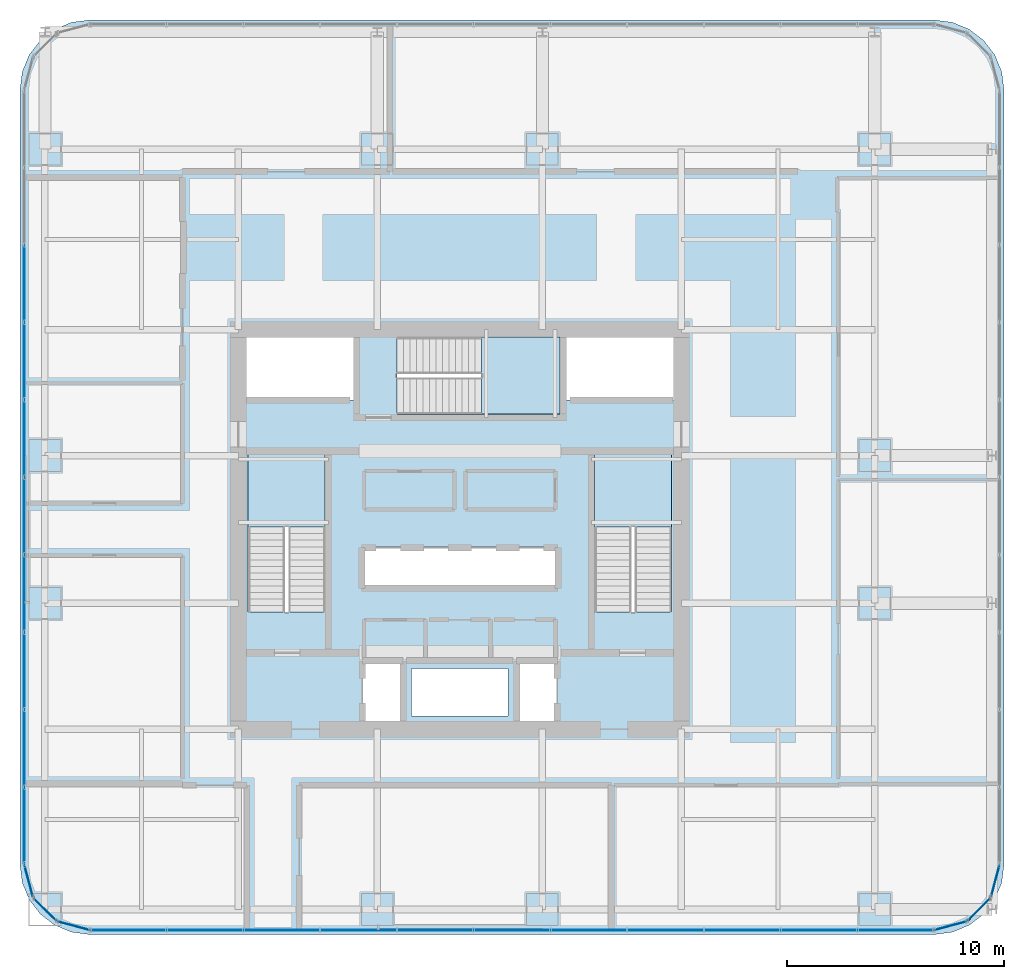
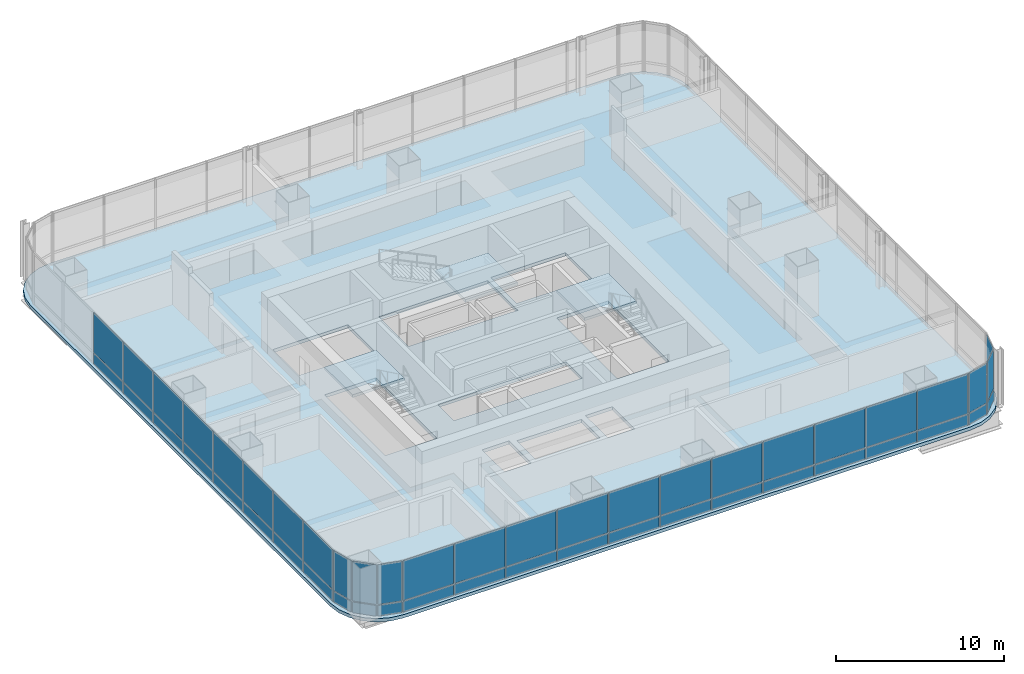
# One storey, part 25 of 34: 50 plates, 4 slabs, 11 elements without a shape of their own.
"""IFC4 building model written with IfcOpenShell, lengths in metres."""

from ifc_helpers import new_model, si_unit, direction, frame, origin, origin_2d, place, context, subcontext, project, spatial, polyline, rectangle, outline, extrude, material, layer, layer_set, type_object, element, aggregate, save


model = new_model("IFC4")

# Units and contexts
model_context = context("Model", 3, precision=1e-05, world=origin(), true_north=direction((0.0, 1.0)))
body_context = subcontext(model_context, "Body", "Model", "MODEL_VIEW")
ifc_project = project(units=[si_unit("LENGTHUNIT", "METRE"), si_unit("AREAUNIT", "SQUARE_METRE"), si_unit("VOLUMEUNIT", "CUBIC_METRE"), si_unit("PLANEANGLEUNIT", "RADIAN"), si_unit("MASSUNIT", "GRAM", prefix="KILO")], contexts=[model_context])

# Site, building, storey
site_placement = place(None, origin())
site = spatial("IfcSite", under=ifc_project, at=site_placement, CompositionType="ELEMENT")
building_placement = place(site_placement, origin())
building = spatial("IfcBuilding", under=site, at=building_placement, Name="Punatoya Terracotta Tower", CompositionType="ELEMENT")
storey_placement = place(building_placement, frame((0.0, 0.0, 105.14990234375)))
storey = spatial("IfcBuildingStorey", under=building, at=storey_placement, Name="L24", CompositionType="ELEMENT", Elevation=105.14990234375)

# Curtain wall, plates
ifc_material_1 = material(Name="Aluminium 6063-T6 + Double Low-E Glass", Category="aluminium")
curtain_wall_type = type_object("IfcCurtainWallType", Name="CW-M1", PredefinedType="NOTDEFINED", material=ifc_material_1)
curtain_wall_1_placement = place(storey_placement, origin())
curtain_wall_1 = element("IfcCurtainWall", 1, at=curtain_wall_1_placement, inside=storey, type_object=curtain_wall_type, Name="L24 Curtain Wall CW-L24-S01-1", PredefinedType="NOTDEFINED")
ifc_material_2 = material(Name="Double Low-E Clear Vision Glass", Category="glass")
ifc_layer_1 = layer(ifc_material_2, 0.028076171875)
ifc_layer_set_1 = layer_set([ifc_layer_1], Name="Double Low-E Clear Vision Glass")
plate_type_1 = type_object("IfcPlateType", Name="PLT-GLZ-28", PredefinedType="CURTAIN_PANEL", material=ifc_layer_set_1)
plate_1_placement = place(storey_placement, frame((-15.27001953125, -18.449951171875, 0.89013671875), z_axis=(0.0, 0.0, 1.0), x_axis=(1.0, 0.0, 0.0)))
plate_1 = element("IfcPlate", 2, at=plate_1_placement, type_object=plate_type_1, Name="CW-L24-S01-1 Vision Glass Panel 1", PredefinedType="CURTAIN_PANEL", context=body_context, shape_type="SweptSolid", body=[
    extrude(rectangle(XDim=3.448974609375, YDim=0.028076171875, at=origin_2d()), origin(), (0.0, 0.0, 1.0), 2.8798828125),
])
plate_2_placement = place(storey_placement, frame((-11.73583984375, -18.449951171875, 0.89013671875), z_axis=(0.0, 0.0, 1.0), x_axis=(1.0, 0.0, 0.0)))
plate_2 = element("IfcPlate", 3, at=plate_2_placement, type_object=plate_type_1, Name="CW-L24-S01-1 Vision Glass Panel 2", PredefinedType="CURTAIN_PANEL", context=body_context, shape_type="SweptSolid", body=[
    extrude(rectangle(XDim=3.448974609375, YDim=0.028076171875, at=origin_2d()), origin(), (0.0, 0.0, 1.0), 2.8798828125),
])
plate_3_placement = place(storey_placement, frame((-8.201904296875, -18.449951171875, 0.89013671875), z_axis=(0.0, 0.0, 1.0), x_axis=(1.0, 0.0, 0.0)))
plate_3 = element("IfcPlate", 4, at=plate_3_placement, type_object=plate_type_1, Name="CW-L24-S01-1 Vision Glass Panel 3", PredefinedType="CURTAIN_PANEL", context=body_context, shape_type="SweptSolid", body=[
    extrude(rectangle(XDim=3.448974609375, YDim=0.028076171875, at=origin_2d()), origin(), (0.0, 0.0, 1.0), 2.8798828125),
])
plate_4_placement = place(storey_placement, frame((-4.66796875, -18.449951171875, 0.89013671875), z_axis=(0.0, 0.0, 1.0), x_axis=(1.0, 0.0, 0.0)))
plate_4 = element("IfcPlate", 5, at=plate_4_placement, type_object=plate_type_1, Name="CW-L24-S01-1 Vision Glass Panel 4", PredefinedType="CURTAIN_PANEL", context=body_context, shape_type="SweptSolid", body=[
    extrude(rectangle(XDim=3.448974609375, YDim=0.028076171875, at=origin_2d()), origin(), (0.0, 0.0, 1.0), 2.8798828125),
])
plate_5_placement = place(storey_placement, frame((-1.134033203125, -18.449951171875, 0.89013671875), z_axis=(0.0, 0.0, 1.0), x_axis=(1.0, 0.0, 0.0)))
plate_5 = element("IfcPlate", 6, at=plate_5_placement, type_object=plate_type_1, Name="CW-L24-S01-1 Vision Glass Panel 5", PredefinedType="CURTAIN_PANEL", context=body_context, shape_type="SweptSolid", body=[
    extrude(rectangle(XDim=3.448974609375, YDim=0.028076171875, at=origin_2d()), origin(), (0.0, 0.0, 1.0), 2.8798828125),
])
plate_6_placement = place(storey_placement, frame((2.39990234375, -18.449951171875, 0.89013671875), z_axis=(0.0, 0.0, 1.0), x_axis=(1.0, 0.0, 0.0)))
plate_6 = element("IfcPlate", 7, at=plate_6_placement, type_object=plate_type_1, Name="CW-L24-S01-1 Vision Glass Panel 6", PredefinedType="CURTAIN_PANEL", context=body_context, shape_type="SweptSolid", body=[
    extrude(rectangle(XDim=3.448974609375, YDim=0.028076171875, at=origin_2d()), origin(), (0.0, 0.0, 1.0), 2.8798828125),
])
plate_7_placement = place(storey_placement, frame((5.93408203125, -18.449951171875, 0.89013671875), z_axis=(0.0, 0.0, 1.0), x_axis=(1.0, 0.0, 0.0)))
plate_7 = element("IfcPlate", 8, at=plate_7_placement, type_object=plate_type_1, Name="CW-L24-S01-1 Vision Glass Panel 7", PredefinedType="CURTAIN_PANEL", context=body_context, shape_type="SweptSolid", body=[
    extrude(rectangle(XDim=3.448974609375, YDim=0.028076171875, at=origin_2d()), origin(), (0.0, 0.0, 1.0), 2.8798828125),
])
plate_8_placement = place(storey_placement, frame((9.468017578125, -18.449951171875, 0.89013671875), z_axis=(0.0, 0.0, 1.0), x_axis=(1.0, 0.0, 0.0)))
plate_8 = element("IfcPlate", 9, at=plate_8_placement, type_object=plate_type_1, Name="CW-L24-S01-1 Vision Glass Panel 8", PredefinedType="CURTAIN_PANEL", context=body_context, shape_type="SweptSolid", body=[
    extrude(rectangle(XDim=3.448974609375, YDim=0.028076171875, at=origin_2d()), origin(), (0.0, 0.0, 1.0), 2.8798828125),
])
plate_9_placement = place(storey_placement, frame((13.001953125, -18.449951171875, 0.89013671875), z_axis=(0.0, 0.0, 1.0), x_axis=(1.0, 0.0, 0.0)))
plate_9 = element("IfcPlate", 10, at=plate_9_placement, type_object=plate_type_1, Name="CW-L24-S01-1 Vision Glass Panel 9", PredefinedType="CURTAIN_PANEL", context=body_context, shape_type="SweptSolid", body=[
    extrude(rectangle(XDim=3.448974609375, YDim=0.028076171875, at=origin_2d()), origin(), (0.0, 0.0, 1.0), 2.8798828125),
])
plate_10_placement = place(storey_placement, frame((16.535888671875, -18.449951171875, 0.89013671875), z_axis=(0.0, 0.0, 1.0), x_axis=(1.0, 0.0, 0.0)))
plate_10 = element("IfcPlate", 11, at=plate_10_placement, type_object=plate_type_1, Name="CW-L24-S01-1 Vision Glass Panel 10", PredefinedType="CURTAIN_PANEL", context=body_context, shape_type="SweptSolid", body=[
    extrude(rectangle(XDim=3.448974609375, YDim=0.028076171875, at=origin_2d()), origin(), (0.0, 0.0, 1.0), 2.8798828125),
])
plate_11_placement = place(storey_placement, frame((20.06982421875, -18.449951171875, 0.89013671875), z_axis=(0.0, 0.0, 1.0), x_axis=(1.0, 0.0, 0.0)))
plate_11 = element("IfcPlate", 12, at=plate_11_placement, type_object=plate_type_1, Name="CW-L24-S01-1 Vision Glass Panel 11", PredefinedType="CURTAIN_PANEL", context=body_context, shape_type="SweptSolid", body=[
    extrude(rectangle(XDim=3.448974609375, YDim=0.028076171875, at=origin_2d()), origin(), (0.0, 0.0, 1.0), 2.8798828125),
])

# Curtain wall, plate
curtain_wall_2_placement = place(storey_placement, origin())
curtain_wall_2 = element("IfcCurtainWall", 13, at=curtain_wall_2_placement, inside=storey, type_object=curtain_wall_type, Name="L24 Curtain Wall CW-L24-CRN02", PredefinedType="NOTDEFINED")
plate_12_placement = place(storey_placement, frame((22.593017578125, -18.248291015625, 0.89013671875), z_axis=(0.0, 0.0, 1.0), x_axis=(0.966213877436, 0.257741620719, 0.0)))
plate_12 = element("IfcPlate", 14, at=plate_12_placement, type_object=plate_type_1, Name="CW-L24-CRN02 Vision Glass Panel 1", PredefinedType="CURTAIN_PANEL", context=body_context, shape_type="SweptSolid", body=[
    extrude(rectangle(XDim=1.47998046875, YDim=0.028076171875, at=origin_2d()), origin(), (0.0, 0.0, 1.0), 2.8798828125),
])

curtain_wall_3_placement = place(storey_placement, origin())
curtain_wall_3 = element("IfcCurtainWall", 15, at=curtain_wall_3_placement, inside=storey, type_object=curtain_wall_type, Name="L24 Curtain Wall CW-L24-CRN03", PredefinedType="NOTDEFINED")
plate_13_placement = place(storey_placement, frame((23.89794921875, -17.497802734375, 0.89013671875), z_axis=(0.0, 0.0, 1.0), x_axis=(0.707106781187, 0.707106781187, 0.0)))
plate_13 = element("IfcPlate", 16, at=plate_13_placement, type_object=plate_type_1, Name="CW-L24-CRN03 Vision Glass Panel 1", PredefinedType="CURTAIN_PANEL", context=body_context, shape_type="SweptSolid", body=[
    extrude(rectangle(XDim=1.467041015625, YDim=0.028076171875, at=origin_2d()), origin(), (0.0, 0.0, 1.0), 2.8798828125),
])

curtain_wall_4_placement = place(storey_placement, origin())
curtain_wall_4 = element("IfcCurtainWall", 17, at=curtain_wall_4_placement, inside=storey, type_object=curtain_wall_type, Name="L24 Curtain Wall CW-L24-CRN04", PredefinedType="NOTDEFINED")
plate_14_placement = place(storey_placement, frame((24.648193359375, -16.193115234375, 0.89013671875), z_axis=(0.0, 0.0, 1.0), x_axis=(0.257741620719, 0.966213877436, 0.0)))
plate_14 = element("IfcPlate", 18, at=plate_14_placement, type_object=plate_type_1, Name="CW-L24-CRN04 Vision Glass Panel 1", PredefinedType="CURTAIN_PANEL", context=body_context, shape_type="SweptSolid", body=[
    extrude(rectangle(XDim=1.47998046875, YDim=0.028076171875, at=origin_2d()), origin(), (0.0, 0.0, 1.0), 2.8798828125),
])

# Curtain wall, plates
curtain_wall_5_placement = place(storey_placement, origin())
curtain_wall_5 = element("IfcCurtainWall", 19, at=curtain_wall_5_placement, inside=storey, type_object=curtain_wall_type, Name="L24 Curtain Wall CW-L24-W13-1", PredefinedType="NOTDEFINED")
plate_15_placement = place(storey_placement, frame((-20.050048828125, 11.318359375, 0.89013671875), z_axis=(0.0, 0.0, 1.0), x_axis=(0.0, -1.0, 0.0)))
plate_15 = element("IfcPlate", 20, at=plate_15_placement, type_object=plate_type_1, Name="CW-L24-W13-1 Vision Glass Panel 3", PredefinedType="CURTAIN_PANEL", context=body_context, shape_type="SweptSolid", body=[
    extrude(rectangle(XDim=3.482421875, YDim=0.028076171875, at=origin_2d()), origin(), (0.0, 0.0, 1.0), 2.8798828125),
])
plate_16_placement = place(storey_placement, frame((-20.050048828125, 7.751220703125, 0.89013671875), z_axis=(0.0, 0.0, 1.0), x_axis=(0.0, -1.0, 0.0)))
plate_16 = element("IfcPlate", 21, at=plate_16_placement, type_object=plate_type_1, Name="CW-L24-W13-1 Vision Glass Panel 4", PredefinedType="CURTAIN_PANEL", context=body_context, shape_type="SweptSolid", body=[
    extrude(rectangle(XDim=3.482421875, YDim=0.028076171875, at=origin_2d()), origin(), (0.0, 0.0, 1.0), 2.8798828125),
])
plate_17_placement = place(storey_placement, frame((-20.050048828125, 4.18359375, 0.89013671875), z_axis=(0.0, 0.0, 1.0), x_axis=(0.0, -1.0, 0.0)))
plate_17 = element("IfcPlate", 22, at=plate_17_placement, type_object=plate_type_1, Name="CW-L24-W13-1 Vision Glass Panel 5", PredefinedType="CURTAIN_PANEL", context=body_context, shape_type="SweptSolid", body=[
    extrude(rectangle(XDim=3.482421875, YDim=0.028076171875, at=origin_2d()), origin(), (0.0, 0.0, 1.0), 2.8798828125),
])
plate_18_placement = place(storey_placement, frame((-20.050048828125, 0.6162109375, 0.89013671875), z_axis=(0.0, 0.0, 1.0), x_axis=(0.0, -1.0, 0.0)))
plate_18 = element("IfcPlate", 23, at=plate_18_placement, type_object=plate_type_1, Name="CW-L24-W13-1 Vision Glass Panel 6", PredefinedType="CURTAIN_PANEL", context=body_context, shape_type="SweptSolid", body=[
    extrude(rectangle(XDim=3.482421875, YDim=0.028076171875, at=origin_2d()), origin(), (0.0, 0.0, 1.0), 2.8798828125),
])
plate_19_placement = place(storey_placement, frame((-20.050048828125, -2.951171875, 0.89013671875), z_axis=(0.0, 0.0, 1.0), x_axis=(0.0, -1.0, 0.0)))
plate_19 = element("IfcPlate", 24, at=plate_19_placement, type_object=plate_type_1, Name="CW-L24-W13-1 Vision Glass Panel 7", PredefinedType="CURTAIN_PANEL", context=body_context, shape_type="SweptSolid", body=[
    extrude(rectangle(XDim=3.482421875, YDim=0.028076171875, at=origin_2d()), origin(), (0.0, 0.0, 1.0), 2.8798828125),
])
plate_20_placement = place(storey_placement, frame((-20.050048828125, -6.518310546875, 0.89013671875), z_axis=(0.0, 0.0, 1.0), x_axis=(0.0, -1.0, 0.0)))
plate_20 = element("IfcPlate", 25, at=plate_20_placement, type_object=plate_type_1, Name="CW-L24-W13-1 Vision Glass Panel 8", PredefinedType="CURTAIN_PANEL", context=body_context, shape_type="SweptSolid", body=[
    extrude(rectangle(XDim=3.482421875, YDim=0.028076171875, at=origin_2d()), origin(), (0.0, 0.0, 1.0), 2.8798828125),
])
plate_21_placement = place(storey_placement, frame((-20.050048828125, -10.085693359375, 0.89013671875), z_axis=(0.0, 0.0, 1.0), x_axis=(0.0, -1.0, 0.0)))
plate_21 = element("IfcPlate", 26, at=plate_21_placement, type_object=plate_type_1, Name="CW-L24-W13-1 Vision Glass Panel 9", PredefinedType="CURTAIN_PANEL", context=body_context, shape_type="SweptSolid", body=[
    extrude(rectangle(XDim=3.482421875, YDim=0.028076171875, at=origin_2d()), origin(), (0.0, 0.0, 1.0), 2.8798828125),
])
plate_22_placement = place(storey_placement, frame((-20.050048828125, -13.6533203125, 0.89013671875), z_axis=(0.0, 0.0, 1.0), x_axis=(0.0, -1.0, 0.0)))
plate_22 = element("IfcPlate", 27, at=plate_22_placement, type_object=plate_type_1, Name="CW-L24-W13-1 Vision Glass Panel 10", PredefinedType="CURTAIN_PANEL", context=body_context, shape_type="SweptSolid", body=[
    extrude(rectangle(XDim=3.482421875, YDim=0.028076171875, at=origin_2d()), origin(), (0.0, 0.0, 1.0), 2.8798828125),
])

# Curtain wall, plate
curtain_wall_6_placement = place(storey_placement, origin())
curtain_wall_6 = element("IfcCurtainWall", 28, at=curtain_wall_6_placement, inside=storey, type_object=curtain_wall_type, Name="L24 Curtain Wall CW-L24-CRN14", PredefinedType="NOTDEFINED")
plate_23_placement = place(storey_placement, frame((-19.848388671875, -16.193115234375, 0.89013671875), z_axis=(0.0, 0.0, 1.0), x_axis=(0.257741620719, -0.966213877436, 0.0)))
plate_23 = element("IfcPlate", 29, at=plate_23_placement, type_object=plate_type_1, Name="CW-L24-CRN14 Vision Glass Panel 1", PredefinedType="CURTAIN_PANEL", context=body_context, shape_type="SweptSolid", body=[
    extrude(rectangle(XDim=1.47998046875, YDim=0.028076171875, at=origin_2d()), origin(), (0.0, 0.0, 1.0), 2.8798828125),
])

curtain_wall_7_placement = place(storey_placement, origin())
curtain_wall_7 = element("IfcCurtainWall", 30, at=curtain_wall_7_placement, inside=storey, type_object=curtain_wall_type, Name="L24 Curtain Wall CW-L24-CRN15", PredefinedType="NOTDEFINED")
plate_24_placement = place(storey_placement, frame((-19.097900390625, -17.497802734375, 0.89013671875), z_axis=(0.0, 0.0, 1.0), x_axis=(0.707106781187, -0.707106781187, 0.0)))
plate_24 = element("IfcPlate", 31, at=plate_24_placement, type_object=plate_type_1, Name="CW-L24-CRN15 Vision Glass Panel 1", PredefinedType="CURTAIN_PANEL", context=body_context, shape_type="SweptSolid", body=[
    extrude(rectangle(XDim=1.467041015625, YDim=0.028076171875, at=origin_2d()), origin(), (0.0, 0.0, 1.0), 2.8798828125),
])

curtain_wall_8_placement = place(storey_placement, origin())
curtain_wall_8 = element("IfcCurtainWall", 32, at=curtain_wall_8_placement, inside=storey, type_object=curtain_wall_type, Name="L24 Curtain Wall CW-L24-CRN16", PredefinedType="NOTDEFINED")
plate_25_placement = place(storey_placement, frame((-17.79296875, -18.248291015625, 0.89013671875), z_axis=(0.0, 0.0, 1.0), x_axis=(0.966213877436, -0.257741620719, 0.0)))
plate_25 = element("IfcPlate", 33, at=plate_25_placement, type_object=plate_type_1, Name="CW-L24-CRN16 Vision Glass Panel 1", PredefinedType="CURTAIN_PANEL", context=body_context, shape_type="SweptSolid", body=[
    extrude(rectangle(XDim=1.47998046875, YDim=0.028076171875, at=origin_2d()), origin(), (0.0, 0.0, 1.0), 2.8798828125),
])

# Plate
ifc_material_3 = material(Name="Insulated Terracotta-Backed Spandrel Panel", Category="masonry")
ifc_layer_2 = layer(ifc_material_3, 0.044921875)
ifc_layer_set_2 = layer_set([ifc_layer_2], Name="Insulated Terracotta-Backed Spandrel Panel")
plate_type_2 = type_object("IfcPlateType", Name="PLT-SPN-45", PredefinedType="CURTAIN_PANEL", material=ifc_layer_set_2)
plate_26_placement = place(storey_placement, frame((-15.27001953125, -18.449951171875, 0.0400390625), z_axis=(0.0, 0.0, 1.0), x_axis=(1.0, 0.0, 0.0)))
plate_26 = element("IfcPlate", 34, at=plate_26_placement, type_object=plate_type_2, Name="CW-L24-S01-1 Terracotta Spandrel Panel 1", PredefinedType="CURTAIN_PANEL", context=body_context, shape_type="SweptSolid", body=[
    extrude(rectangle(XDim=3.448974609375, YDim=0.044921875, at=origin_2d()), origin(), (0.0, 0.0, 1.0), 0.77490234375),
])

plate_27_placement = place(storey_placement, frame((-11.73583984375, -18.449951171875, 0.0400390625), z_axis=(0.0, 0.0, 1.0), x_axis=(1.0, 0.0, 0.0)))
plate_27 = element("IfcPlate", 35, at=plate_27_placement, type_object=plate_type_2, Name="CW-L24-S01-1 Terracotta Spandrel Panel 2", PredefinedType="CURTAIN_PANEL", context=body_context, shape_type="SweptSolid", body=[
    extrude(rectangle(XDim=3.448974609375, YDim=0.044921875, at=origin_2d()), origin(), (0.0, 0.0, 1.0), 0.77490234375),
])

plate_28_placement = place(storey_placement, frame((-8.201904296875, -18.449951171875, 0.0400390625), z_axis=(0.0, 0.0, 1.0), x_axis=(1.0, 0.0, 0.0)))
plate_28 = element("IfcPlate", 36, at=plate_28_placement, type_object=plate_type_2, Name="CW-L24-S01-1 Terracotta Spandrel Panel 3", PredefinedType="CURTAIN_PANEL", context=body_context, shape_type="SweptSolid", body=[
    extrude(rectangle(XDim=3.448974609375, YDim=0.044921875, at=origin_2d()), origin(), (0.0, 0.0, 1.0), 0.77490234375),
])

plate_29_placement = place(storey_placement, frame((-4.66796875, -18.449951171875, 0.0400390625), z_axis=(0.0, 0.0, 1.0), x_axis=(1.0, 0.0, 0.0)))
plate_29 = element("IfcPlate", 37, at=plate_29_placement, type_object=plate_type_2, Name="CW-L24-S01-1 Terracotta Spandrel Panel 4", PredefinedType="CURTAIN_PANEL", context=body_context, shape_type="SweptSolid", body=[
    extrude(rectangle(XDim=3.448974609375, YDim=0.044921875, at=origin_2d()), origin(), (0.0, 0.0, 1.0), 0.77490234375),
])

plate_30_placement = place(storey_placement, frame((-1.134033203125, -18.449951171875, 0.0400390625), z_axis=(0.0, 0.0, 1.0), x_axis=(1.0, 0.0, 0.0)))
plate_30 = element("IfcPlate", 38, at=plate_30_placement, type_object=plate_type_2, Name="CW-L24-S01-1 Terracotta Spandrel Panel 5", PredefinedType="CURTAIN_PANEL", context=body_context, shape_type="SweptSolid", body=[
    extrude(rectangle(XDim=3.448974609375, YDim=0.044921875, at=origin_2d()), origin(), (0.0, 0.0, 1.0), 0.77490234375),
])

plate_31_placement = place(storey_placement, frame((2.39990234375, -18.449951171875, 0.0400390625), z_axis=(0.0, 0.0, 1.0), x_axis=(1.0, 0.0, 0.0)))
plate_31 = element("IfcPlate", 39, at=plate_31_placement, type_object=plate_type_2, Name="CW-L24-S01-1 Terracotta Spandrel Panel 6", PredefinedType="CURTAIN_PANEL", context=body_context, shape_type="SweptSolid", body=[
    extrude(rectangle(XDim=3.448974609375, YDim=0.044921875, at=origin_2d()), origin(), (0.0, 0.0, 1.0), 0.77490234375),
])

plate_32_placement = place(storey_placement, frame((5.93408203125, -18.449951171875, 0.0400390625), z_axis=(0.0, 0.0, 1.0), x_axis=(1.0, 0.0, 0.0)))
plate_32 = element("IfcPlate", 40, at=plate_32_placement, type_object=plate_type_2, Name="CW-L24-S01-1 Terracotta Spandrel Panel 7", PredefinedType="CURTAIN_PANEL", context=body_context, shape_type="SweptSolid", body=[
    extrude(rectangle(XDim=3.448974609375, YDim=0.044921875, at=origin_2d()), origin(), (0.0, 0.0, 1.0), 0.77490234375),
])

plate_33_placement = place(storey_placement, frame((9.468017578125, -18.449951171875, 0.0400390625), z_axis=(0.0, 0.0, 1.0), x_axis=(1.0, 0.0, 0.0)))
plate_33 = element("IfcPlate", 41, at=plate_33_placement, type_object=plate_type_2, Name="CW-L24-S01-1 Terracotta Spandrel Panel 8", PredefinedType="CURTAIN_PANEL", context=body_context, shape_type="SweptSolid", body=[
    extrude(rectangle(XDim=3.448974609375, YDim=0.044921875, at=origin_2d()), origin(), (0.0, 0.0, 1.0), 0.77490234375),
])

plate_34_placement = place(storey_placement, frame((13.001953125, -18.449951171875, 0.0400390625), z_axis=(0.0, 0.0, 1.0), x_axis=(1.0, 0.0, 0.0)))
plate_34 = element("IfcPlate", 42, at=plate_34_placement, type_object=plate_type_2, Name="CW-L24-S01-1 Terracotta Spandrel Panel 9", PredefinedType="CURTAIN_PANEL", context=body_context, shape_type="SweptSolid", body=[
    extrude(rectangle(XDim=3.448974609375, YDim=0.044921875, at=origin_2d()), origin(), (0.0, 0.0, 1.0), 0.77490234375),
])

plate_35_placement = place(storey_placement, frame((16.535888671875, -18.449951171875, 0.0400390625), z_axis=(0.0, 0.0, 1.0), x_axis=(1.0, 0.0, 0.0)))
plate_35 = element("IfcPlate", 43, at=plate_35_placement, type_object=plate_type_2, Name="CW-L24-S01-1 Terracotta Spandrel Panel 10", PredefinedType="CURTAIN_PANEL", context=body_context, shape_type="SweptSolid", body=[
    extrude(rectangle(XDim=3.448974609375, YDim=0.044921875, at=origin_2d()), origin(), (0.0, 0.0, 1.0), 0.77490234375),
])

plate_36_placement = place(storey_placement, frame((20.06982421875, -18.449951171875, 0.0400390625), z_axis=(0.0, 0.0, 1.0), x_axis=(1.0, 0.0, 0.0)))
plate_36 = element("IfcPlate", 44, at=plate_36_placement, type_object=plate_type_2, Name="CW-L24-S01-1 Terracotta Spandrel Panel 11", PredefinedType="CURTAIN_PANEL", context=body_context, shape_type="SweptSolid", body=[
    extrude(rectangle(XDim=3.448974609375, YDim=0.044921875, at=origin_2d()), origin(), (0.0, 0.0, 1.0), 0.77490234375),
])

aggregate(curtain_wall_1, [plate_26, plate_1, plate_27, plate_2, plate_28, plate_3, plate_29, plate_4, plate_30, plate_5, plate_31, plate_6, plate_32, plate_7, plate_33, plate_8, plate_34, plate_9, plate_35, plate_10, plate_36, plate_11])

plate_37_placement = place(storey_placement, frame((22.593017578125, -18.248291015625, 0.0400390625), z_axis=(0.0, 0.0, 1.0), x_axis=(0.966213877436, 0.257741620719, 0.0)))
plate_37 = element("IfcPlate", 45, at=plate_37_placement, type_object=plate_type_2, Name="CW-L24-CRN02 Terracotta Spandrel Panel 1", PredefinedType="CURTAIN_PANEL", context=body_context, shape_type="SweptSolid", body=[
    extrude(rectangle(XDim=1.47998046875, YDim=0.044921875, at=origin_2d()), origin(), (0.0, 0.0, 1.0), 0.77490234375),
])

aggregate(curtain_wall_2, [plate_37, plate_12])

plate_38_placement = place(storey_placement, frame((23.89794921875, -17.497802734375, 0.0400390625), z_axis=(0.0, 0.0, 1.0), x_axis=(0.707106781187, 0.707106781187, 0.0)))
plate_38 = element("IfcPlate", 46, at=plate_38_placement, type_object=plate_type_2, Name="CW-L24-CRN03 Terracotta Spandrel Panel 1", PredefinedType="CURTAIN_PANEL", context=body_context, shape_type="SweptSolid", body=[
    extrude(rectangle(XDim=1.467041015625, YDim=0.044921875, at=origin_2d()), origin(), (0.0, 0.0, 1.0), 0.77490234375),
])

aggregate(curtain_wall_3, [plate_38, plate_13])

plate_39_placement = place(storey_placement, frame((24.648193359375, -16.193115234375, 0.0400390625), z_axis=(0.0, 0.0, 1.0), x_axis=(0.257741620719, 0.966213877436, 0.0)))
plate_39 = element("IfcPlate", 47, at=plate_39_placement, type_object=plate_type_2, Name="CW-L24-CRN04 Terracotta Spandrel Panel 1", PredefinedType="CURTAIN_PANEL", context=body_context, shape_type="SweptSolid", body=[
    extrude(rectangle(XDim=1.47998046875, YDim=0.044921875, at=origin_2d()), origin(), (0.0, 0.0, 1.0), 0.77490234375),
])

aggregate(curtain_wall_4, [plate_39, plate_14])

plate_40_placement = place(storey_placement, frame((-20.050048828125, 11.318359375, 0.0400390625), z_axis=(0.0, 0.0, 1.0), x_axis=(0.0, -1.0, 0.0)))
plate_40 = element("IfcPlate", 48, at=plate_40_placement, type_object=plate_type_2, Name="CW-L24-W13-1 Terracotta Spandrel Panel 3", PredefinedType="CURTAIN_PANEL", context=body_context, shape_type="SweptSolid", body=[
    extrude(rectangle(XDim=3.482421875, YDim=0.044921875, at=origin_2d()), origin(), (0.0, 0.0, 1.0), 0.77490234375),
])

plate_41_placement = place(storey_placement, frame((-20.050048828125, 7.751220703125, 0.0400390625), z_axis=(0.0, 0.0, 1.0), x_axis=(0.0, -1.0, 0.0)))
plate_41 = element("IfcPlate", 49, at=plate_41_placement, type_object=plate_type_2, Name="CW-L24-W13-1 Terracotta Spandrel Panel 4", PredefinedType="CURTAIN_PANEL", context=body_context, shape_type="SweptSolid", body=[
    extrude(rectangle(XDim=3.482421875, YDim=0.044921875, at=origin_2d()), origin(), (0.0, 0.0, 1.0), 0.77490234375),
])

plate_42_placement = place(storey_placement, frame((-20.050048828125, 4.18359375, 0.0400390625), z_axis=(0.0, 0.0, 1.0), x_axis=(0.0, -1.0, 0.0)))
plate_42 = element("IfcPlate", 50, at=plate_42_placement, type_object=plate_type_2, Name="CW-L24-W13-1 Terracotta Spandrel Panel 5", PredefinedType="CURTAIN_PANEL", context=body_context, shape_type="SweptSolid", body=[
    extrude(rectangle(XDim=3.482421875, YDim=0.044921875, at=origin_2d()), origin(), (0.0, 0.0, 1.0), 0.77490234375),
])

plate_43_placement = place(storey_placement, frame((-20.050048828125, 0.6162109375, 0.0400390625), z_axis=(0.0, 0.0, 1.0), x_axis=(0.0, -1.0, 0.0)))
plate_43 = element("IfcPlate", 51, at=plate_43_placement, type_object=plate_type_2, Name="CW-L24-W13-1 Terracotta Spandrel Panel 6", PredefinedType="CURTAIN_PANEL", context=body_context, shape_type="SweptSolid", body=[
    extrude(rectangle(XDim=3.482421875, YDim=0.044921875, at=origin_2d()), origin(), (0.0, 0.0, 1.0), 0.77490234375),
])

plate_44_placement = place(storey_placement, frame((-20.050048828125, -2.951171875, 0.0400390625), z_axis=(0.0, 0.0, 1.0), x_axis=(0.0, -1.0, 0.0)))
plate_44 = element("IfcPlate", 52, at=plate_44_placement, type_object=plate_type_2, Name="CW-L24-W13-1 Terracotta Spandrel Panel 7", PredefinedType="CURTAIN_PANEL", context=body_context, shape_type="SweptSolid", body=[
    extrude(rectangle(XDim=3.482421875, YDim=0.044921875, at=origin_2d()), origin(), (0.0, 0.0, 1.0), 0.77490234375),
])

plate_45_placement = place(storey_placement, frame((-20.050048828125, -6.518310546875, 0.0400390625), z_axis=(0.0, 0.0, 1.0), x_axis=(0.0, -1.0, 0.0)))
plate_45 = element("IfcPlate", 53, at=plate_45_placement, type_object=plate_type_2, Name="CW-L24-W13-1 Terracotta Spandrel Panel 8", PredefinedType="CURTAIN_PANEL", context=body_context, shape_type="SweptSolid", body=[
    extrude(rectangle(XDim=3.482421875, YDim=0.044921875, at=origin_2d()), origin(), (0.0, 0.0, 1.0), 0.77490234375),
])

plate_46_placement = place(storey_placement, frame((-20.050048828125, -10.085693359375, 0.0400390625), z_axis=(0.0, 0.0, 1.0), x_axis=(0.0, -1.0, 0.0)))
plate_46 = element("IfcPlate", 54, at=plate_46_placement, type_object=plate_type_2, Name="CW-L24-W13-1 Terracotta Spandrel Panel 9", PredefinedType="CURTAIN_PANEL", context=body_context, shape_type="SweptSolid", body=[
    extrude(rectangle(XDim=3.482421875, YDim=0.044921875, at=origin_2d()), origin(), (0.0, 0.0, 1.0), 0.77490234375),
])

plate_47_placement = place(storey_placement, frame((-20.050048828125, -13.6533203125, 0.0400390625), z_axis=(0.0, 0.0, 1.0), x_axis=(0.0, -1.0, 0.0)))
plate_47 = element("IfcPlate", 55, at=plate_47_placement, type_object=plate_type_2, Name="CW-L24-W13-1 Terracotta Spandrel Panel 10", PredefinedType="CURTAIN_PANEL", context=body_context, shape_type="SweptSolid", body=[
    extrude(rectangle(XDim=3.482421875, YDim=0.044921875, at=origin_2d()), origin(), (0.0, 0.0, 1.0), 0.77490234375),
])

aggregate(curtain_wall_5, [plate_40, plate_15, plate_41, plate_16, plate_42, plate_17, plate_43, plate_18, plate_44, plate_19, plate_45, plate_20, plate_46, plate_21, plate_47, plate_22])

plate_48_placement = place(storey_placement, frame((-19.848388671875, -16.193115234375, 0.0400390625), z_axis=(0.0, 0.0, 1.0), x_axis=(0.257741620719, -0.966213877436, 0.0)))
plate_48 = element("IfcPlate", 56, at=plate_48_placement, type_object=plate_type_2, Name="CW-L24-CRN14 Terracotta Spandrel Panel 1", PredefinedType="CURTAIN_PANEL", context=body_context, shape_type="SweptSolid", body=[
    extrude(rectangle(XDim=1.47998046875, YDim=0.044921875, at=origin_2d()), origin(), (0.0, 0.0, 1.0), 0.77490234375),
])

aggregate(curtain_wall_6, [plate_48, plate_23])

plate_49_placement = place(storey_placement, frame((-19.097900390625, -17.497802734375, 0.0400390625), z_axis=(0.0, 0.0, 1.0), x_axis=(0.707106781187, -0.707106781187, 0.0)))
plate_49 = element("IfcPlate", 57, at=plate_49_placement, type_object=plate_type_2, Name="CW-L24-CRN15 Terracotta Spandrel Panel 1", PredefinedType="CURTAIN_PANEL", context=body_context, shape_type="SweptSolid", body=[
    extrude(rectangle(XDim=1.467041015625, YDim=0.044921875, at=origin_2d()), origin(), (0.0, 0.0, 1.0), 0.77490234375),
])

aggregate(curtain_wall_7, [plate_49, plate_24])

plate_50_placement = place(storey_placement, frame((-17.79296875, -18.248291015625, 0.0400390625), z_axis=(0.0, 0.0, 1.0), x_axis=(0.966213877436, -0.257741620719, 0.0)))
plate_50 = element("IfcPlate", 58, at=plate_50_placement, type_object=plate_type_2, Name="CW-L24-CRN16 Terracotta Spandrel Panel 1", PredefinedType="CURTAIN_PANEL", context=body_context, shape_type="SweptSolid", body=[
    extrude(rectangle(XDim=1.47998046875, YDim=0.044921875, at=origin_2d()), origin(), (0.0, 0.0, 1.0), 0.77490234375),
])

aggregate(curtain_wall_8, [plate_50, plate_25])

# Stair, slab
ifc_material_4 = material(Name="Concrete C40/50", Category="concrete")
stair_type_1 = type_object("IfcStairType", Name="STR-TER-1450", PredefinedType="HALF_TURN_STAIR", material=ifc_material_4)
stair_1_placement = place(storey_placement, origin())
stair_1 = element("IfcStair", 59, at=stair_1_placement, inside=storey, type_object=stair_type_1, Name="L24 Protected Core Exit Stair ST-3", PredefinedType="HALF_TURN_STAIR")
ifc_layer_3 = layer(ifc_material_4, 0.1650390625)
ifc_layer_set_3 = layer_set([ifc_layer_3], Name="Concrete C40/50")
slab_type_1 = type_object("IfcSlabType", Name="SLB-LND-165", PredefinedType="LANDING", material=ifc_layer_set_3)
slab_1_placement = place(storey_placement, frame((0.0, 0.0, 1.8251953125)))
slab_1 = element("IfcSlab", 60, at=slab_1_placement, type_object=slab_type_1, Name="ST-3 landing 1", PredefinedType="LANDING", context=body_context, shape_type="SweptSolid", body=[
    extrude(outline(polyline([(1.0, 5.300048828125), (4.60009765625, 5.300048828125), (4.60009765625, 8.85009765625), (1.0, 8.85009765625), (1.0, 5.300048828125)])), origin(), (0.0, 0.0, 1.0), 0.199951171875),
])
aggregate(stair_1, [slab_1])

stair_type_2 = type_object("IfcStairType", Name="STR-CORE-1550", PredefinedType="HALF_TURN_STAIR", material=ifc_material_4)
stair_2_placement = place(storey_placement, origin())
stair_2 = element("IfcStair", 61, at=stair_2_placement, inside=storey, type_object=stair_type_2, Name="L24 Protected Core Exit Stair ST-1", PredefinedType="HALF_TURN_STAIR")
ifc_layer_4 = layer(ifc_material_4, 0.179931640625)
ifc_layer_set_4 = layer_set([ifc_layer_4], Name="Concrete C40/50")
slab_type_2 = type_object("IfcSlabType", Name="SLB-LND-180", PredefinedType="LANDING", material=ifc_layer_set_4)
slab_2_placement = place(storey_placement, frame((0.0, 0.0, 1.8251953125)))
slab_2 = element("IfcSlab", 62, at=slab_2_placement, type_object=slab_type_2, Name="ST-1 landing 1", PredefinedType="LANDING", context=body_context, shape_type="SweptSolid", body=[
    extrude(outline(polyline([(-6.199951171875, 0.10009765625), (-6.199951171875, 3.449951171875), (-9.75, 3.449951171875), (-9.75, 0.10009765625), (-6.199951171875, 0.10009765625)])), origin(), (0.0, 0.0, 1.0), 0.199951171875),
])
aggregate(stair_2, [slab_2])

stair_type_3 = type_object("IfcStairType", Name="STR-LOB-1650", PredefinedType="HALF_TURN_STAIR", material=ifc_material_4)
stair_3_placement = place(storey_placement, origin())
stair_3 = element("IfcStair", 63, at=stair_3_placement, inside=storey, type_object=stair_type_3, Name="L24 Protected Core Exit Stair ST-2", PredefinedType="HALF_TURN_STAIR")
slab_3_placement = place(storey_placement, frame((0.0, 0.0, 1.8251953125)))
slab_3 = element("IfcSlab", 64, at=slab_3_placement, type_object=slab_type_2, Name="ST-2 landing 1", PredefinedType="LANDING", context=body_context, shape_type="SweptSolid", body=[
    extrude(outline(polyline([(9.75, 0.10009765625), (9.75, 3.449951171875), (6.199951171875, 3.449951171875), (6.199951171875, 0.10009765625), (9.75, 0.10009765625)])), origin(), (0.0, 0.0, 1.0), 0.199951171875),
])
aggregate(stair_3, [slab_3])

# Slab
ifc_layer_5 = layer(ifc_material_4, 0.239990234375)
ifc_layer_set_5 = layer_set([ifc_layer_5], Name="Concrete C40/50")
slab_type_3 = type_object("IfcSlabType", Name="SLB-OFF-240", PredefinedType="FLOOR", material=ifc_layer_set_5)
slab_4_placement = place(storey_placement, frame((0.0, 0.0, -0.239990234375)))
element("IfcSlab", 65, at=slab_4_placement, inside=storey, type_object=slab_type_3, Name="L24 Structural Floor Slab", PredefinedType="FLOOR", context=body_context, shape_type="SweptSolid", body=[
    extrude(outline(polyline([(-17.050048828125, -18.64990234375), (-17.878173828125, -18.541015625), (-18.64990234375, -18.22119140625), (-19.312744140625, -17.712646484375), (-19.8212890625, -17.050048828125), (-20.14111328125, -16.2783203125), (-20.25, -15.449951171875), (-20.25, 20.25), (-20.14111328125, 21.078125), (-19.8212890625, 21.85009765625), (-19.312744140625, 22.5126953125), (-18.64990234375, 23.021240234375), (-17.878173828125, 23.341064453125), (-17.050048828125, 23.449951171875), (21.85009765625, 23.449951171875), (22.67822265625, 23.341064453125), (23.449951171875, 23.021240234375), (24.11279296875, 22.5126953125), (24.621337890625, 21.85009765625), (24.94091796875, 21.078125), (25.050048828125, 20.25), (25.050048828125, -15.449951171875), (24.94091796875, -16.2783203125), (24.621337890625, -17.050048828125), (24.11279296875, -17.712646484375), (23.449951171875, -18.22119140625), (22.67822265625, -18.541015625), (21.85009765625, -18.64990234375), (-17.050048828125, -18.64990234375)]), holes=[polyline([(-2.6298828125, -6.179931640625), (-4.469970703125, -6.179931640625), (-4.469970703125, -8.820068359375), (-2.6298828125, -8.820068359375), (-2.6298828125, -6.179931640625)]), polyline([(0.02001953125, -8.594970703125), (2.219970703125, -8.594970703125), (2.219970703125, -6.405029296875), (0.02001953125, -6.405029296875), (-0.02001953125, -6.405029296875), (-2.219970703125, -6.405029296875), (-2.219970703125, -8.594970703125), (-0.02001953125, -8.594970703125), (0.02001953125, -8.594970703125)]), polyline([(-2.219970703125, -2.719970703125), (-2.179931640625, -2.719970703125), (-0.02001953125, -2.719970703125), (0.02001953125, -2.719970703125), (2.179931640625, -2.719970703125), (2.219970703125, -2.719970703125), (4.419921875, -2.719970703125), (4.419921875, -0.780029296875), (2.219970703125, -0.780029296875), (2.179931640625, -0.780029296875), (0.02001953125, -0.780029296875), (-0.02001953125, -0.780029296875), (-2.179931640625, -0.780029296875), (-2.219970703125, -0.780029296875), (-4.419921875, -0.780029296875), (-4.419921875, -2.719970703125), (-2.219970703125, -2.719970703125)]), polyline([(-6.199951171875, 3.449951171875), (-9.75, 3.449951171875), (-9.75, -3.79931640625), (-6.199951171875, -3.79931640625), (-6.199951171875, 3.449951171875)]), polyline([(4.60009765625, 5.300048828125), (4.60009765625, 8.85009765625), (-2.899169921875, 8.85009765625), (-2.899169921875, 5.300048828125), (4.60009765625, 5.300048828125)]), polyline([(-4.89990234375, 9.050048828125), (-10.050048828125, 9.050048828125), (-10.050048828125, 5.949951171875), (-4.89990234375, 5.949951171875), (-4.89990234375, 9.050048828125)]), polyline([(4.469970703125, -8.820068359375), (4.469970703125, -6.179931640625), (2.6298828125, -6.179931640625), (2.6298828125, -8.820068359375), (4.469970703125, -8.820068359375)]), polyline([(9.75, 3.449951171875), (6.199951171875, 3.449951171875), (6.199951171875, -3.79931640625), (9.75, -3.79931640625), (9.75, 3.449951171875)]), polyline([(10.050048828125, 5.949951171875), (10.050048828125, 9.050048828125), (4.89990234375, 9.050048828125), (4.89990234375, 5.949951171875), (10.050048828125, 5.949951171875)])]), origin(), (0.0, 0.0, 1.0), 0.239990234375),
])

save(model, "model.ifc")
